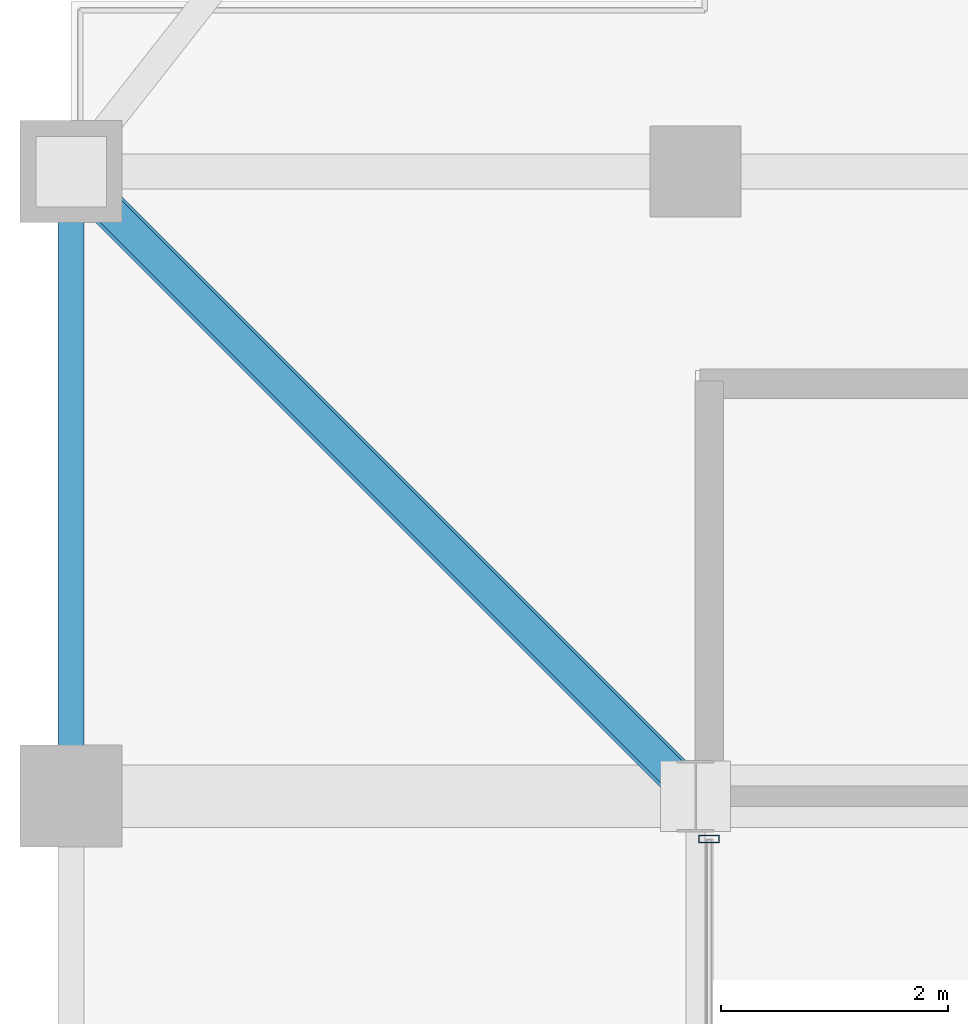
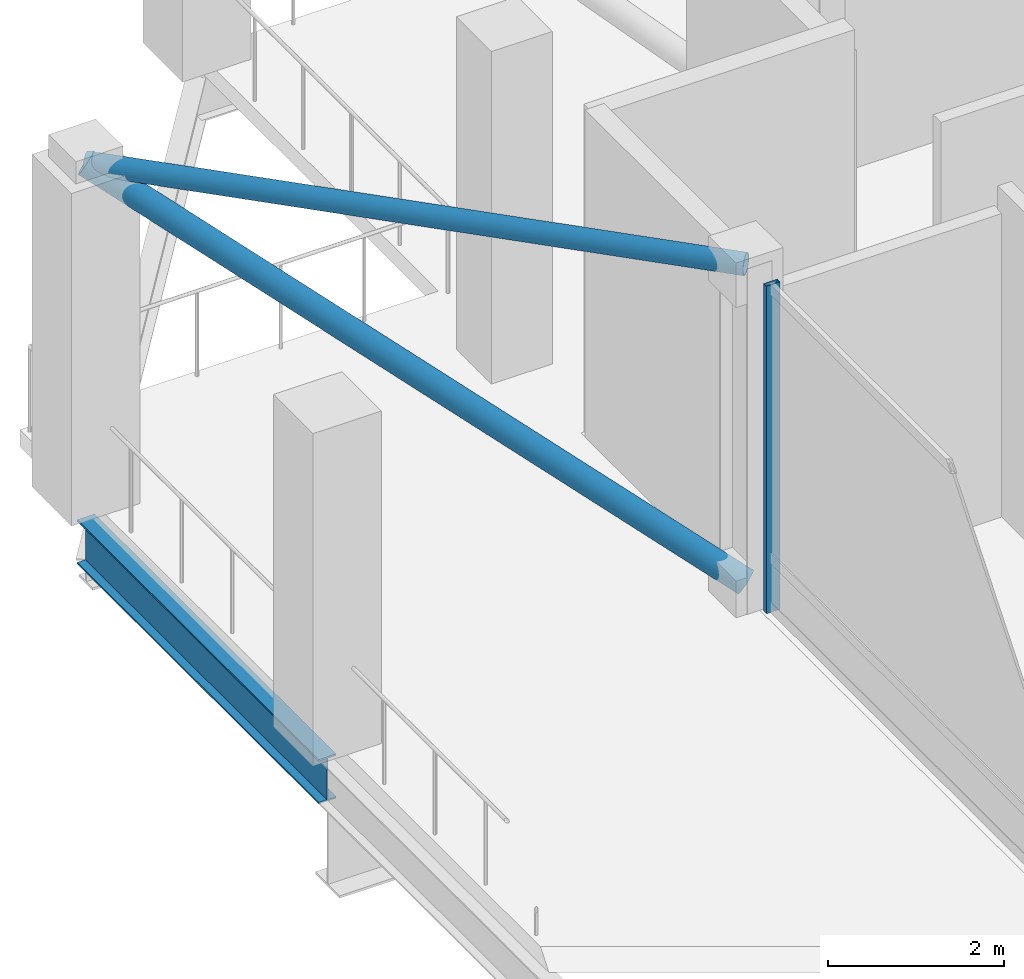
# One storey, part 7 of 17: 3 members, 1 beam, 1 element without a shape of its own.
"""IFC4 building model written with IfcOpenShell, lengths in metres."""

from ifc_helpers import new_model, si_unit, direction, frame, origin, origin_2d, place, context, subcontext, project, spatial, hollow_rectangle, hollow_circle, i_section, extrude, material, layer, layer_set, material_profile, profile_set, type_object, element, aggregate, save


model = new_model("IFC4")

# Units and contexts
model_context = context("Model", 3, precision=1e-05, world=origin(), true_north=direction((0.0, 1.0)))
body_context = subcontext(model_context, "Body", "Model", "MODEL_VIEW")
ifc_project = project(units=[si_unit("LENGTHUNIT", "METRE"), si_unit("AREAUNIT", "SQUARE_METRE"), si_unit("VOLUMEUNIT", "CUBIC_METRE"), si_unit("PLANEANGLEUNIT", "RADIAN"), si_unit("MASSUNIT", "GRAM", prefix="KILO")], contexts=[model_context])

# Site, building, storey
site_placement = place(None, origin())
site = spatial("IfcSite", under=ifc_project, at=site_placement, CompositionType="ELEMENT")
building_placement = place(site_placement, origin())
building = spatial("IfcBuilding", under=site, at=building_placement, Name="Barlavira Tower and Art Museum", CompositionType="ELEMENT")
storey_placement = place(building_placement, frame((0.0, 0.0, 305.10009765625)))
storey = spatial("IfcBuildingStorey", under=building, at=storey_placement, Name="L80", CompositionType="ELEMENT", Elevation=305.10009765625)

# Curtain wall, member
ifc_material_1 = material(Name="Low-iron coastal laminated glass", Category="glass")
ifc_layer = layer(ifc_material_1, 0.22998046875, Name="Low-iron coastal laminated glass")
ifc_layer_set = layer_set([ifc_layer], Name="Low-iron coastal laminated glass")
curtain_wall_type = type_object("IfcCurtainWallType", Name="Winter-Garden Conservatory Glazed Curtain Wall", PredefinedType="NOTDEFINED", material=ifc_layer_set)
curtain_wall_placement = place(storey_placement, origin())
curtain_wall = element("IfcCurtainWall", 1, at=curtain_wall_placement, inside=storey, type_object=curtain_wall_type, Name="L80 Curtain Wall CW7-L80-W-B2", PredefinedType="NOTDEFINED")
ifc_material_2 = material(Name="Pale anodised aluminium", Category="aluminium")
ifc_material_profile_1 = material_profile(ifc_material_2, hollow_rectangle(XDim=0.06494140625, YDim=0.179931640625, WallThickness=0.00390625, at=origin_2d()), Name="ALU-MULL 65x180x4")
ifc_profile_set_1 = profile_set([ifc_material_profile_1], Name="Pale anodised aluminium")
member_type_1 = type_object("IfcMemberType", Name="Curtain Wall Pale-Metal Mullion 65x180", PredefinedType="MULLION", material=ifc_profile_set_1)
member_1_placement = place(storey_placement, frame((-11.3798828125, 7.12060546875, 0.0), z_axis=(0.0, 0.0, 1.0), x_axis=(0.0, -1.0, 0.0)))
member_1 = element("IfcMember", 2, at=member_1_placement, type_object=member_type_1, Name="CW7-L80-W-B2 Mullion 0", PredefinedType="MULLION", context=body_context, shape_type="SweptSolid", body=[
    extrude(hollow_rectangle(XDim=0.06494140625, YDim=0.179931640625, WallThickness=0.00390625, at=origin_2d()), origin(), (0.0, 0.0, 1.0), 4.5498046875),
])
aggregate(curtain_wall, [member_1])

# Members
ifc_material_3 = material(Name="Steel S355", Category="steel")
ifc_material_profile_2 = material_profile(ifc_material_3, hollow_circle(Radius=0.136474609375, WallThickness=0.012451171875, at=origin_2d()), Name="CHS 273.0x12.5")
ifc_profile_set_2 = profile_set([ifc_material_profile_2], Name="Steel S355")
member_type_2 = type_object("IfcMemberType", Name="Pale-Metal Canopy Tie Strut CHS 273x12.5 Steel S355", PredefinedType="STRUT", material=ifc_profile_set_2)
member_2_placement = place(storey_placement, frame((-11.5, 7.5, 4.619873046875), z_axis=(-0.707106781187, 0.707106781187, 0.0), x_axis=(-0.707106781187, -0.707106781187, 0.0)))
element("IfcMember", 3, at=member_2_placement, inside=storey, type_object=member_type_2, Name="L80 Lookout Canopy Horizontal Tie 3", PredefinedType="STRUT", context=body_context, shape_type="SweptSolid", body=[
    extrude(hollow_circle(Radius=0.136474609375, WallThickness=0.012451171875, at=origin_2d()), origin(), (0.0, 0.0, 1.0), 7.778076171875),
])
ifc_material_profile_3 = material_profile(ifc_material_3, hollow_circle(Radius=0.161865234375, WallThickness=0.01611328125, at=origin_2d()), Name="CHS 323.9x16.0")
ifc_profile_set_3 = profile_set([ifc_material_profile_3], Name="Steel S355")
member_type_3 = type_object("IfcMemberType", Name="Pale-Metal Crown Diagrid Tube CHS 324x16 Steel S355", PredefinedType="BRACE", material=ifc_profile_set_3)
member_3_placement = place(storey_placement, frame((-11.5, 7.5, 0.199951171875), z_axis=(-0.614781499952, 0.614781499952, 0.494052036361), x_axis=(-0.707106781187, -0.707106781187, 0.0)))
element("IfcMember", 4, at=member_3_placement, inside=storey, type_object=member_type_3, Name="L80 Lookout Canopy Raking Strut 3", PredefinedType="BRACE", context=body_context, shape_type="SweptSolid", body=[
    extrude(hollow_circle(Radius=0.161865234375, WallThickness=0.01611328125, at=origin_2d()), origin(), (0.0, 0.0, 1.0), 8.9462890625),
])

# Beam
ifc_material_profile_4 = material_profile(ifc_material_3, i_section(OverallWidth=0.22998046875, OverallDepth=0.616943359375, WebThickness=0.01318359375, FlangeThickness=0.022216796875, at=origin_2d()), Name="W610x140.0")
ifc_profile_set_4 = profile_set([ifc_material_profile_4], Name="Steel S355")
beam_type = type_object("IfcBeamType", Name="Upper Shaft Spandrel Edge Beam W610x140 Steel S355", PredefinedType="SPANDREL", material=ifc_profile_set_4)
beam_placement = place(storey_placement, frame((-17.0, 7.5, -0.608642578125), z_axis=(0.0, 1.0, 0.0), x_axis=(-1.0, 0.0, 0.0)))
element("IfcBeam", 5, at=beam_placement, inside=storey, type_object=beam_type, Name="L80 Spandrel 13", PredefinedType="SPANDREL", context=body_context, shape_type="SweptSolid", body=[
    extrude(i_section(OverallWidth=0.22998046875, OverallDepth=0.616943359375, WebThickness=0.01318359375, FlangeThickness=0.022216796875, at=origin_2d()), origin(), (0.0, 0.0, 1.0), 5.5),
])

save(model, "model.ifc")
